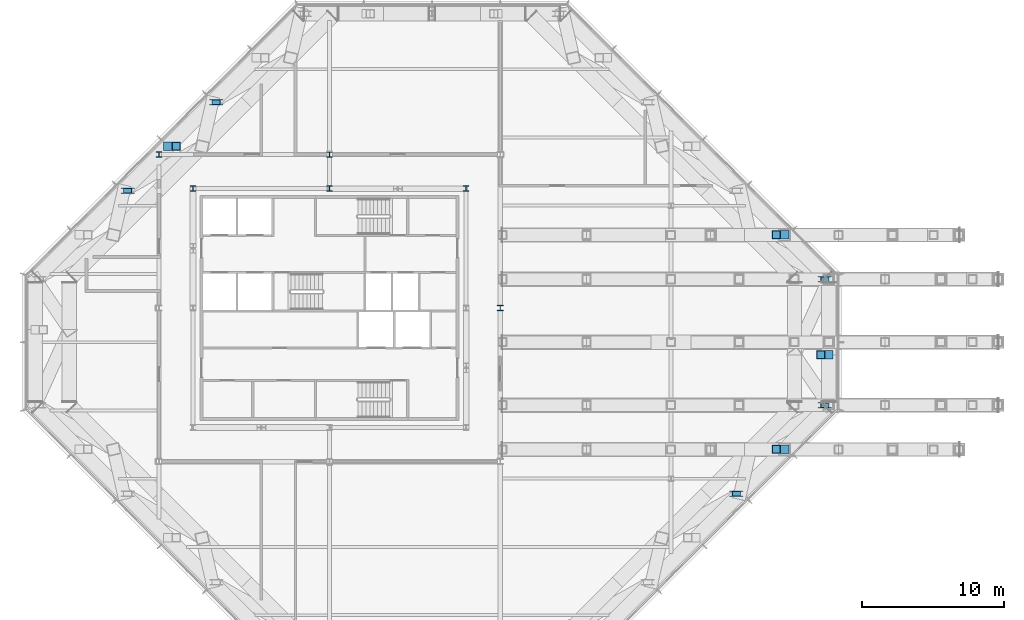
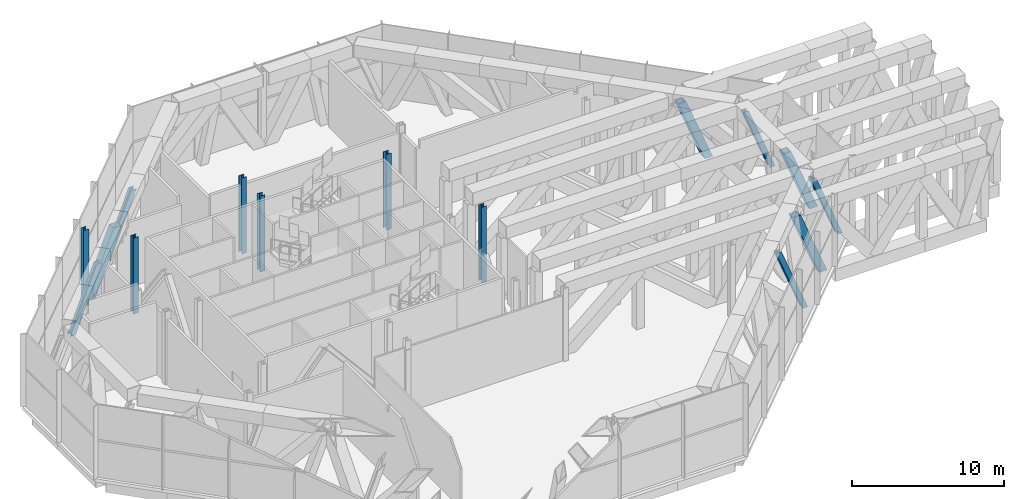
# One storey, part 2 of 18: 15 columns.
"""IFC4 building model written with IfcOpenShell, lengths in metres."""

from ifc_helpers import new_model, si_unit, direction, frame, origin, origin_2d, place, context, subcontext, project, spatial, hollow_rectangle, i_section, extrude, clip, halfspace, material, material_profile, profile_set, type_object, element, save


model = new_model("IFC4")

# Units and contexts
model_context = context("Model", 3, precision=1e-05, world=origin(), true_north=direction((0.0, 1.0)))
body_context = subcontext(model_context, "Body", "Model", "MODEL_VIEW")
ifc_project = project(units=[si_unit("LENGTHUNIT", "METRE"), si_unit("AREAUNIT", "SQUARE_METRE"), si_unit("VOLUMEUNIT", "CUBIC_METRE"), si_unit("PLANEANGLEUNIT", "RADIAN"), si_unit("MASSUNIT", "GRAM", prefix="KILO")], contexts=[model_context])

# Site, building, storey
site_placement = place(None, origin())
site = spatial("IfcSite", under=ifc_project, at=site_placement, CompositionType="ELEMENT")
building_placement = place(site_placement, origin())
building = spatial("IfcBuilding", under=site, at=building_placement, Name="Cairn Pilgrim Tower", CompositionType="ELEMENT")
storey_placement = place(building_placement, frame((0.0, 0.0, 261.0)))
storey = spatial("IfcBuildingStorey", under=building, at=storey_placement, Name="L67", CompositionType="ELEMENT", Elevation=261.0)

# Columns
ifc_material_1 = material(Name="Structural steel S460M", Category="steel")
ifc_material_profile_1 = material_profile(ifc_material_1, hollow_rectangle(XDim=0.60009765625, YDim=0.60009765625, WallThickness=0.034912109375, at=origin_2d()), Name="BOX 600x600x35")
ifc_profile_set_1 = profile_set([ifc_material_profile_1], Name="Structural steel S460M")
column_type_1 = type_object("IfcColumnType", Name="BOX 600x600x35 POST", PredefinedType="USERDEFINED", material=ifc_profile_set_1)
for number, where, z_axis, x_axis, name in (
    (1, (39.18798828125, -7.539306640625, -0.25), (0.0, 0.0, 1.0), (1.0, 0.0, 0.0), "BT67-SE-P6"),
    (2, (42.300048828125, -0.885498046875, -0.25), (0.0, 0.0, 1.0), (1.0, 0.0, 0.0), "BT67-E-P2"),
    (3, (39.18798828125, 7.539306640625, -0.25), (0.0, 0.0, 1.0), (1.0, 0.0, 0.0), "BT67-NE-P2"),
):
    element("IfcColumn", number, at=place(storey_placement, frame(where, z_axis=z_axis, x_axis=x_axis)), inside=storey, type_object=column_type_1, Name=name, ObjectType="POST", PredefinedType="USERDEFINED", context=body_context, shape_type="Clipping", body=[
        clip(extrude(hollow_rectangle(XDim=0.60009765625, YDim=0.60009765625, WallThickness=0.034912109375, at=origin_2d()), origin(), (-0.366138583819, 0.0, 0.930560335195), 6.55517578125), halfspace(frame((0.0, 0.0, 5.10009765625), z_axis=(0.0, 0.0, 1.0), x_axis=(1.0, 0.0, 0.0)), False)),
    ])
column_1_placement = place(storey_placement, frame((-4.16357421875, 13.763671875, -0.25), z_axis=(0.0, 0.0, 1.0), x_axis=(1.0, 0.0, 0.0)))
element("IfcColumn", 4, at=column_1_placement, inside=storey, type_object=column_type_1, Name="BT67-NW-P4", ObjectType="POST", PredefinedType="USERDEFINED", context=body_context, shape_type="Clipping", body=[
    clip(extrude(hollow_rectangle(XDim=0.60009765625, YDim=0.60009765625, WallThickness=0.034912109375, at=origin_2d()), origin(), (0.366106332628, 0.0, 0.930573024115), 6.55517578125), halfspace(frame((0.0, 0.0, 5.10009765625), z_axis=(0.0, 0.0, 1.0), x_axis=(1.0, 0.0, 0.0)), False)),
])
ifc_material_2 = material(Name="Structural steel S355J2", Category="steel")
ifc_material_profile_2 = material_profile(ifc_material_2, i_section(OverallWidth=0.39404296875, OverallDepth=0.375, WebThickness=0.017333984375, FlangeThickness=0.027587890625, FilletRadius=0.014892578125, at=origin_2d()), Name="HD 400x216")
ifc_profile_set_2 = profile_set([ifc_material_profile_2], Name="Structural steel S355J2")
column_type_2 = type_object("IfcColumnType", Name="HD 400x216", PredefinedType="COLUMN", material=ifc_profile_set_2)
for number, where, z_axis, x_axis, name in (
    (5, (19.199951171875, 2.39990234375, -0.25), (0.0, 0.0, 1.0), (1.0, 0.0, 0.0), "IC-5"),
    (6, (-4.800048828125, 13.199951171875, -0.25), (0.0, 0.0, 1.0), (1.0, 0.0, 0.0), "IC-6"),
    (7, (7.199951171875, 13.199951171875, -0.25), (0.0, 0.0, 1.0), (1.0, 0.0, 0.0), "IC-7"),
):
    element("IfcColumn", number, at=place(storey_placement, frame(where, z_axis=z_axis, x_axis=x_axis)), inside=storey, type_object=column_type_2, Name=name, PredefinedType="COLUMN", context=body_context, shape_type="SweptSolid", body=[
        extrude(i_section(OverallWidth=0.39404296875, OverallDepth=0.375, WebThickness=0.017333984375, FlangeThickness=0.027587890625, FilletRadius=0.014892578125, at=origin_2d()), origin(), (0.0, 0.0, 1.0), 6.10009765625),
    ])
ifc_material_profile_3 = material_profile(ifc_material_2, i_section(OverallWidth=0.39794921875, OverallDepth=0.386962890625, WebThickness=0.02099609375, FlangeThickness=0.033203125, FilletRadius=0.014892578125, at=origin_2d()), Name="HD 400x262")
ifc_profile_set_3 = profile_set([ifc_material_profile_3], Name="Structural steel S355J2")
column_type_3 = type_object("IfcColumnType", Name="HD 400x262", PredefinedType="COLUMN", material=ifc_profile_set_3)
for number, where, z_axis, x_axis, name in (
    (8, (-2.39990234375, 10.800048828125, -0.25), (0.0, 0.0, 1.0), (1.0, 0.0, 0.0), "KC-6"),
    (9, (7.199951171875, 10.800048828125, -0.25), (0.0, 0.0, 1.0), (1.0, 0.0, 0.0), "KC-7"),
    (10, (16.800048828125, 10.800048828125, -0.25), (0.0, 0.0, 1.0), (1.0, 0.0, 0.0), "KC-8"),
):
    element("IfcColumn", number, at=place(storey_placement, frame(where, z_axis=z_axis, x_axis=x_axis)), inside=storey, type_object=column_type_3, Name=name, PredefinedType="COLUMN", context=body_context, shape_type="SweptSolid", body=[
        extrude(i_section(OverallWidth=0.39794921875, OverallDepth=0.386962890625, WebThickness=0.02099609375, FlangeThickness=0.033203125, FilletRadius=0.014892578125, at=origin_2d()), origin(), (0.0, 0.0, 1.0), 6.10009765625),
    ])
ifc_material_profile_4 = material_profile(ifc_material_2, i_section(OverallWidth=0.39892578125, OverallDepth=0.39306640625, WebThickness=0.022705078125, FlangeThickness=0.03662109375, FilletRadius=0.014892578125, at=origin_2d()), Name="HD 400x287")
ifc_profile_set_4 = profile_set([ifc_material_profile_4], Name="Structural steel S355J2")
column_type_4 = type_object("IfcColumnType", Name="HD 400x287 POST", PredefinedType="USERDEFINED", material=ifc_profile_set_4)
column_2_placement = place(storey_placement, frame((36.07568359375, -10.651611328125, -0.25), z_axis=(0.0, 0.0, 1.0), x_axis=(1.0, 0.0, 0.0)))
element("IfcColumn", 11, at=column_2_placement, inside=storey, type_object=column_type_4, Name="BT67-SE-P5", ObjectType="POST", PredefinedType="USERDEFINED", context=body_context, shape_type="Clipping", body=[
    clip(extrude(i_section(OverallWidth=0.39892578125, OverallDepth=0.39306640625, WebThickness=0.022705078125, FlangeThickness=0.03662109375, FilletRadius=0.014892578125, at=origin_2d()), origin(), (-0.366106332628, 0.0, 0.930573024115), 6.55517578125), halfspace(frame((0.0, 0.0, 5.10009765625), z_axis=(0.0, 0.0, 1.0), x_axis=(1.0, 0.0, 0.0)), False)),
])
for number, where, z_axis, x_axis, name in (
    (12, (42.300048828125, -4.42724609375, -0.25), (0.0, 0.0, 1.0), (1.0, 0.0, 0.0), "BT67-E-P1"),
    (13, (42.300048828125, 4.42724609375, -0.25), (0.0, 0.0, 1.0), (1.0, 0.0, 0.0), "BT67-NE-P1"),
):
    element("IfcColumn", number, at=place(storey_placement, frame(where, z_axis=z_axis, x_axis=x_axis)), inside=storey, type_object=column_type_4, Name=name, ObjectType="POST", PredefinedType="USERDEFINED", context=body_context, shape_type="Clipping", body=[
        clip(extrude(i_section(OverallWidth=0.39892578125, OverallDepth=0.39306640625, WebThickness=0.022705078125, FlangeThickness=0.03662109375, FilletRadius=0.014892578125, at=origin_2d()), origin(), (-0.366138583819, 0.0, 0.930560335195), 6.55517578125), halfspace(frame((0.0, 0.0, 5.10009765625), z_axis=(0.0, 0.0, 1.0), x_axis=(1.0, 0.0, 0.0)), False)),
    ])
for number, where, z_axis, x_axis, name in (
    (14, (-1.051513671875, 16.875732421875, -0.25), (0.0, 0.0, 1.0), (1.0, 0.0, 0.0), "BT67-NW-P3"),
    (15, (-7.275634765625, 10.651611328125, -0.25), (0.0, 0.0, 1.0), (1.0, 0.0, 0.0), "BT67-NW-P5"),
):
    element("IfcColumn", number, at=place(storey_placement, frame(where, z_axis=z_axis, x_axis=x_axis)), inside=storey, type_object=column_type_4, Name=name, ObjectType="POST", PredefinedType="USERDEFINED", context=body_context, shape_type="Clipping", body=[
        clip(extrude(i_section(OverallWidth=0.39892578125, OverallDepth=0.39306640625, WebThickness=0.022705078125, FlangeThickness=0.03662109375, FilletRadius=0.014892578125, at=origin_2d()), origin(), (0.366106332628, 0.0, 0.930573024115), 6.55517578125), halfspace(frame((0.0, 0.0, 5.10009765625), z_axis=(0.0, 0.0, 1.0), x_axis=(1.0, 0.0, 0.0)), False)),
    ])

save(model, "model.ifc")
